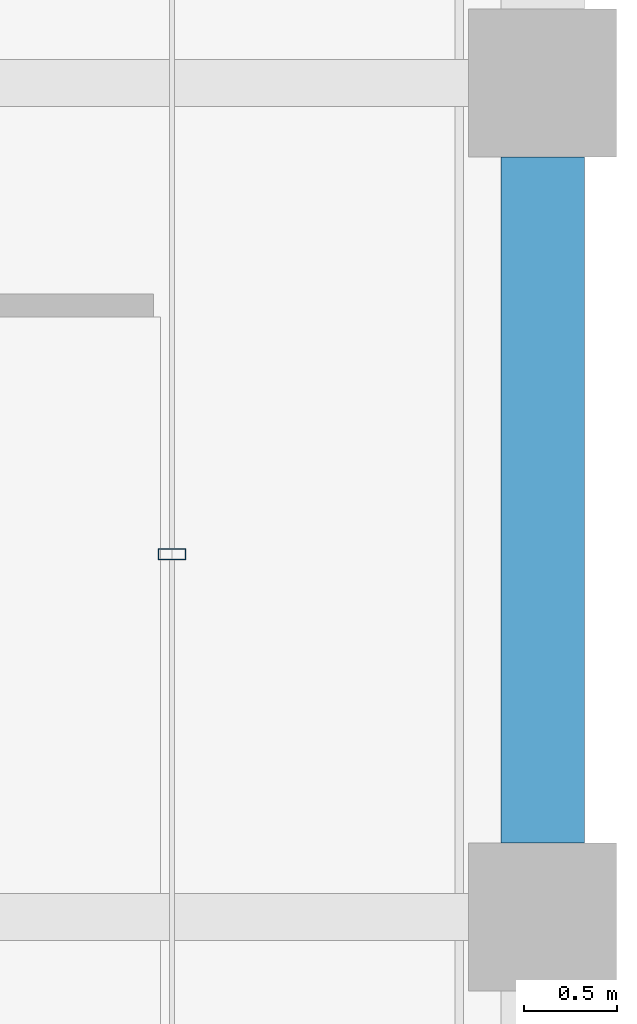
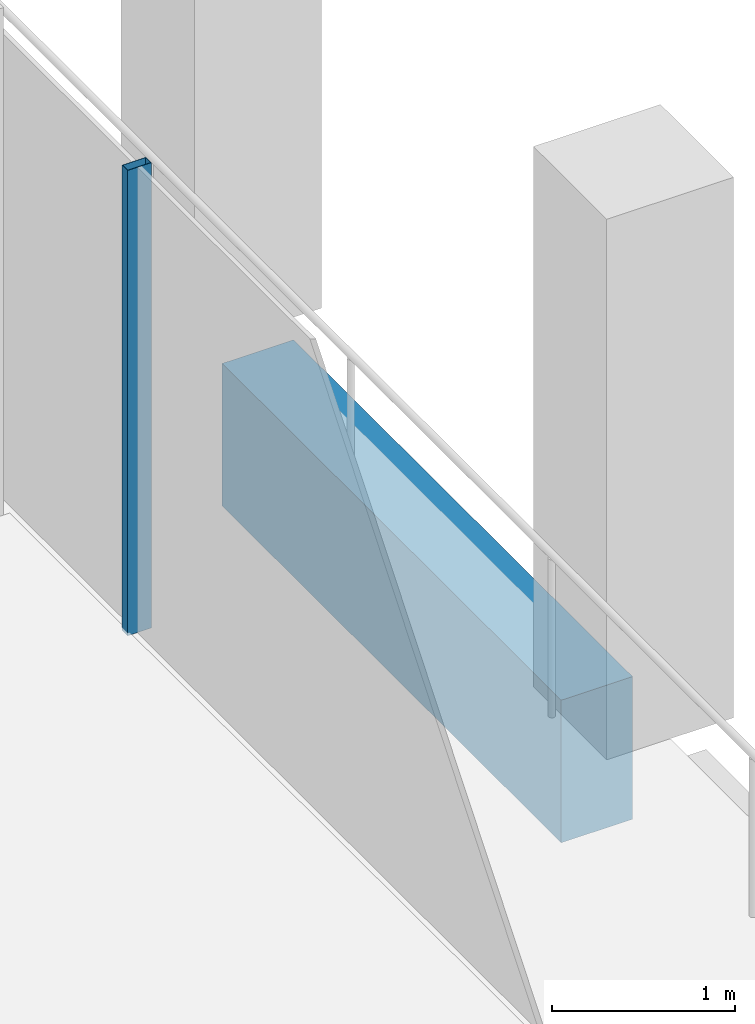
# One storey, part 17 of 30: 1 beam, 1 member, 1 element without a shape of its own.
"""IFC4 building model written with IfcOpenShell, lengths in metres."""

import ifcopenshell
import ifcopenshell.guid

model = None  # the IFC model being written
_history = None  # IfcOwnerHistory: only IFC2X3 demands one
_inside = {}  # id of a spatial element -> (the spatial element, [elements in it])
_under = {}  # id of a project, library or spatial element -> (it, [spatial elements below it])
_declared = {}  # id of a project -> (the project, [libraries it declares])
_typed = {}  # id of a type object -> (the type object, [elements of that type])
_made_of = {}  # id of a material, layer set ... -> (it, [elements and type objects made of it])


def new_model(schema):
    """Start an empty IFC model of exactly this schema.

    Asked for "IFC4X3", IfcOpenShell would pick the latest addendum, in which some entities
    have other attributes; the version numbers below select the first issue.
    IFC2X3 requires an IfcOwnerHistory on every rooted entity: one is made here for all.
    """
    global model, _history
    if schema == "IFC4X3":
        model = ifcopenshell.file(schema_version=(4, 3, 0, 0))
    else:
        model = ifcopenshell.file(schema=schema)
    _inside.clear()
    _under.clear()
    _declared.clear()
    _typed.clear()
    _made_of.clear()
    _history = None
    if model.schema == "IFC2X3":
        org = make("IfcOrganization", Name="unknown")
        user = make(
            "IfcPersonAndOrganization",
            ThePerson=make("IfcPerson", FamilyName="unknown"),
            TheOrganization=org,
        )
        app = make(
            "IfcApplication",
            ApplicationDeveloper=org,
            Version="unknown",
            ApplicationFullName="unknown",
            ApplicationIdentifier="unknown",
        )
        _history = make(
            "IfcOwnerHistory",
            OwningUser=user,
            OwningApplication=app,
            ChangeAction="ADDED",
            CreationDate=0,
        )
    return model


def make(cls, **values):
    """One entity of the class cls with the attributes given. An attribute that is None is left unset."""
    return model.create_entity(
        cls, **{name: value for name, value in values.items() if value is not None}
    )


def rooted(cls, **values):
    """An entity with a GlobalId (a new one), such as an element, a storey or a relation."""
    return make(cls, GlobalId=ifcopenshell.guid.new(), OwnerHistory=_history, **values)


def si_unit(unit_type, name, prefix=None):
    """IfcSIUnit, for example si_unit("LENGTHUNIT", "METRE", prefix="MILLI")."""
    return make("IfcSIUnit", UnitType=unit_type, Prefix=prefix, Name=name)


def assignment(units):
    """IfcUnitAssignment: the units of a project."""
    return None if units is None else make("IfcUnitAssignment", Units=units)


def point(xyz):
    """IfcCartesianPoint."""
    return None if xyz is None else make("IfcCartesianPoint", Coordinates=xyz)


def direction(xyz):
    """IfcDirection."""
    return None if xyz is None else make("IfcDirection", DirectionRatios=xyz)


def frame(location, z_axis=None, x_axis=None):
    """IfcAxis2Placement3D, a coordinate frame: its origin and axes. An axis left out is left unset."""
    return make(
        "IfcAxis2Placement3D",
        Location=point(location),
        Axis=direction(z_axis),
        RefDirection=direction(x_axis),
    )


def frame_2d(location, x_axis=None):
    """IfcAxis2Placement2D, a coordinate frame in the plane: its origin and x axis."""
    return make(
        "IfcAxis2Placement2D", Location=point(location), RefDirection=direction(x_axis)
    )


def origin():
    """The frame at (0, 0, 0) with its axes left unset."""
    return frame((0.0, 0.0, 0.0))


def origin_2d():
    """The frame at (0, 0) in the plane with its x axis left unset."""
    return frame_2d((0.0, 0.0))


def place(relative_to, where):
    """IfcLocalPlacement: puts the frame where relative to a parent placement (None: the world)."""
    return make(
        "IfcLocalPlacement", PlacementRelTo=relative_to, RelativePlacement=where
    )


def context(
    kind, dimensions, precision=None, world=None, true_north=None, identifier=None
):
    """IfcGeometricRepresentationContext, for example the 3D "Model" context."""
    return make(
        "IfcGeometricRepresentationContext",
        ContextIdentifier=identifier,
        ContextType=kind,
        CoordinateSpaceDimension=dimensions,
        Precision=precision,
        WorldCoordinateSystem=world,
        TrueNorth=true_north,
    )


def subcontext(parent, identifier, kind, view, scale=None):
    """IfcGeometricRepresentationSubContext, for example "Body" below "Model"."""
    return make(
        "IfcGeometricRepresentationSubContext",
        ContextIdentifier=identifier,
        ContextType=kind,
        ParentContext=parent,
        TargetScale=scale,
        TargetView=view,
    )


def project(units=None, contexts=None):
    """IfcProject with its units and contexts."""
    return rooted(
        "IfcProject",
        Name="project",
        RepresentationContexts=contexts,
        UnitsInContext=assignment(units),
    )


def spatial(cls, under=None, at=None, **own):
    """A site, building, storey or space (cls), placed at a placement, below another one or the project."""
    s = rooted(cls, ObjectPlacement=at, **own)
    if under is not None:
        _under.setdefault(under.id(), (under, []))[1].append(s)
    return s


def profile(cls, at=None, kind="AREA", **sizes):
    """A parametric profile (cls). Its sizes go by their IFC names, for example OverallWidth=200.0."""
    return make(cls, ProfileType=kind, Position=at, **sizes)


def rectangle(**sizes):
    """IfcRectangleProfileDef."""
    return profile("IfcRectangleProfileDef", **sizes)


def hollow_rectangle(**sizes):
    """IfcRectangleHollowProfileDef."""
    return profile("IfcRectangleHollowProfileDef", **sizes)


def extrude(swept, where, along, depth):
    """IfcExtrudedAreaSolid: the profile swept, set in the frame where, extruded along a direction by depth."""
    return make(
        "IfcExtrudedAreaSolid",
        SweptArea=swept,
        Position=where,
        ExtrudedDirection=direction(along),
        Depth=depth,
    )


def shape(context_of_items, identifier, shape_type, items):
    """IfcShapeRepresentation: the items that make up one representation, for example the "Body"."""
    return make(
        "IfcShapeRepresentation",
        ContextOfItems=context_of_items,
        RepresentationIdentifier=identifier,
        RepresentationType=shape_type,
        Items=items,
    )


def material(Name=None, Category=None):
    """IfcMaterial."""
    return make("IfcMaterial", Name=Name, Category=Category)


def material_profile(
    of_material, cross_section, Name=None, Category=None, Priority=None
):
    """IfcMaterialProfile: a cross section and its material."""
    return make(
        "IfcMaterialProfile",
        Name=Name,
        Material=of_material,
        Profile=cross_section,
        Priority=Priority,
        Category=Category,
    )


def profile_set(profiles, Name=None, composite=None):
    """IfcMaterialProfileSet."""
    return make(
        "IfcMaterialProfileSet",
        Name=Name,
        MaterialProfiles=profiles,
        CompositeProfile=composite,
    )


def made_of(thing, what):
    """Note that an element or type object is made of a material, layer set ...; save() writes the relation."""
    if what is not None:
        _made_of.setdefault(what.id(), (what, []))[1].append(thing)
    return thing


def type_object(cls, material=None, **own):
    """A type object (cls), such as IfcWallType, which elements share."""
    return made_of(rooted(cls, **own), material)


def element(
    cls,
    number,
    at=None,
    inside=None,
    cuts=None,
    type_object=None,
    material=None,
    context=None,
    identifier="Body",
    shape_type=None,
    held_by="IfcProductDefinitionShape",
    body=None,
    shapes=None,
    **own,
):
    """One element of the class cls, such as IfcWall. Its Tag is "e" and its number.

    at: its placement. inside: the storey or other place that contains it. cuts: it is an
    opening in that element (IfcRelVoidsElement). A single representation is given by context,
    identifier, shape_type and body (its items); several are given by shapes. held_by: the class
    of the entity that holds the representations. save() writes the other relations.
    """
    e = rooted(cls, Tag="e%d" % number, ObjectPlacement=at, **own)
    if body is not None:
        shapes = [shape(context, identifier, shape_type, body)]
    if shapes is not None:
        e.Representation = make(held_by, Representations=shapes)
    if inside is not None:
        _inside.setdefault(inside.id(), (inside, []))[1].append(e)
    if cuts is not None:
        rooted(
            "IfcRelVoidsElement", RelatingBuildingElement=cuts, RelatedOpeningElement=e
        )
    if type_object is not None:
        _typed.setdefault(type_object.id(), (type_object, []))[1].append(e)
    return made_of(e, material)


def aggregate(whole, parts):
    """IfcRelAggregates: a whole, such as a stair, and the parts it consists of."""
    return rooted("IfcRelAggregates", RelatingObject=whole, RelatedObjects=parts)


def save(model, path):
    """Write the relations noted so far, then the file.

    IfcRelAggregates (storeys below a building ...), IfcRelContainedInSpatialStructure (elements
    in a storey), IfcRelDefinesByType, IfcRelAssociatesMaterial and IfcRelDeclares: one each for
    every whole, place, type object, material and project.
    """
    for whole, parts in _under.values():
        aggregate(whole, parts)
    for where, things in _inside.values():
        rooted(
            "IfcRelContainedInSpatialStructure",
            RelatedElements=things,
            RelatingStructure=where,
        )
    for kind, things in _typed.values():
        rooted("IfcRelDefinesByType", RelatedObjects=things, RelatingType=kind)
    for what, things in _made_of.values():
        rooted("IfcRelAssociatesMaterial", RelatedObjects=things, RelatingMaterial=what)
    for by, libraries in _declared.values():
        rooted("IfcRelDeclares", RelatingContext=by, RelatedDefinitions=libraries)
    model.write(path)


model = new_model("IFC4")

# Units and contexts
model_context = context("Model", 3, precision=1e-05, world=origin(), true_north=direction((0.0, 1.0)))
body_context = subcontext(model_context, "Body", "Model", "MODEL_VIEW")
ifc_project = project(units=[si_unit("LENGTHUNIT", "METRE"), si_unit("AREAUNIT", "SQUARE_METRE"), si_unit("VOLUMEUNIT", "CUBIC_METRE"), si_unit("PLANEANGLEUNIT", "RADIAN"), si_unit("MASSUNIT", "GRAM", prefix="KILO")], contexts=[model_context])

# Site, building, storey
site_placement = place(None, origin())
site = spatial("IfcSite", under=ifc_project, at=site_placement, CompositionType="ELEMENT")
building_placement = place(site_placement, origin())
building = spatial("IfcBuilding", under=site, at=building_placement, Name="Altepetl Exchange Towers", CompositionType="ELEMENT")
storey_placement = place(building_placement, frame((0.0, 0.0, 242.39990234375)))
storey = spatial("IfcBuildingStorey", under=building, at=storey_placement, Name="L62", CompositionType="ELEMENT", Elevation=242.39990234375)

# Curtain wall, member
ifc_material_1 = material(Name="Aluminium 6063-T6 glazing", Category="aluminium")
curtain_wall_type = type_object("IfcCurtainWallType", Name="Loggia glazing system", PredefinedType="NOTDEFINED", material=ifc_material_1)
curtain_wall_placement = place(storey_placement, origin())
curtain_wall = element("IfcCurtainWall", 1, at=curtain_wall_placement, inside=storey, type_object=curtain_wall_type, Name="CW1 run", PredefinedType="NOTDEFINED")
ifc_material_2 = material(Name="Aluminium 6063-T6", Category="aluminium")
ifc_material_profile_1 = material_profile(ifc_material_2, hollow_rectangle(XDim=0.06005859375, YDim=0.14990234375, WallThickness=0.0029296875, at=origin_2d()), Name="Mullion 60x150 aluminium")
ifc_profile_set_1 = profile_set([ifc_material_profile_1], Name="Aluminium 6063-T6")
member_type = type_object("IfcMemberType", Name="Mullion 60x150 aluminium", PredefinedType="MULLION", material=ifc_profile_set_1)
member_placement = place(storey_placement, frame((70.0, 46.9580078125, 0.0), z_axis=(0.0, 0.0, 1.0), x_axis=(0.0, 1.0, 0.0)))
member = element("IfcMember", 2, at=member_placement, type_object=member_type, Name="MU1 mullion", PredefinedType="MULLION", context=body_context, shape_type="SweptSolid", body=[
    extrude(hollow_rectangle(XDim=0.06005859375, YDim=0.14990234375, WallThickness=0.0029296875, at=origin_2d()), origin(), (0.0, 0.0, 1.0), 3.10009765625),
])
aggregate(curtain_wall, [member])

# Beam
ifc_material_3 = material(Name="Concrete C50/60 precast with cantera amarilla facing", Category="concrete")
ifc_material_profile_2 = material_profile(ifc_material_3, rectangle(XDim=0.449951171875, YDim=0.949951171875, at=origin_2d()), Name="450 x 950")
ifc_profile_set_2 = profile_set([ifc_material_profile_2], Name="Concrete C50/60 precast with cantera amarilla facing")
beam_type = type_object("IfcBeamType", Name="Spandrel beam 450x950 cantera amarilla", PredefinedType="SPANDREL", material=ifc_profile_set_2)
beam_placement = place(storey_placement, frame((72.0, 45.39990234375, -0.625), z_axis=(0.0, 1.0, 0.0), x_axis=(-1.0, 0.0, 0.0)))
element("IfcBeam", 3, at=beam_placement, inside=storey, type_object=beam_type, Name="sp:A:L62:015", PredefinedType="SPANDREL", context=body_context, shape_type="SweptSolid", body=[
    extrude(rectangle(XDim=0.449951171875, YDim=0.949951171875, at=origin_2d()), origin(), (0.0, 0.0, 1.0), 3.7001953125),
])

save(model, "model.ifc")
